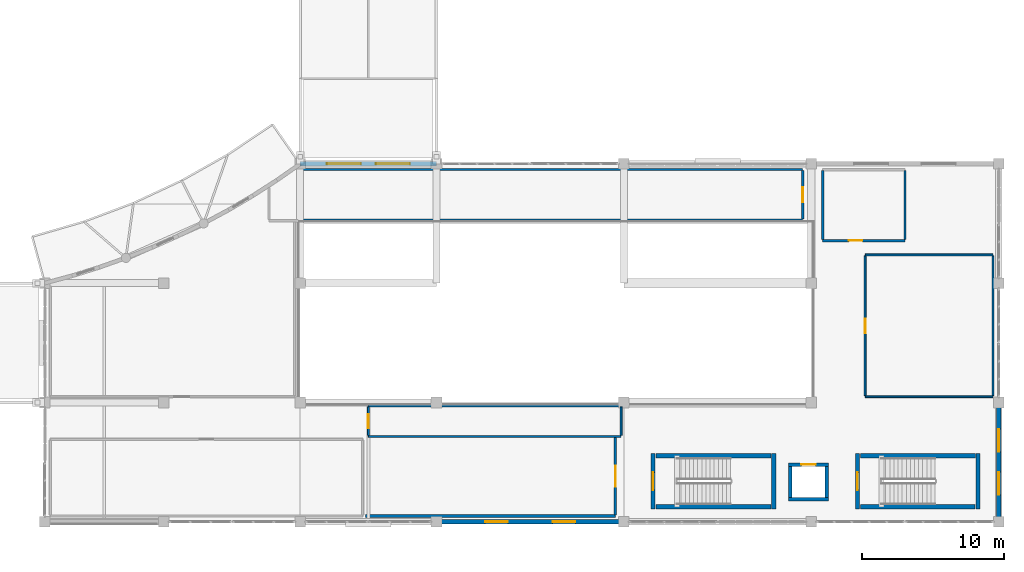
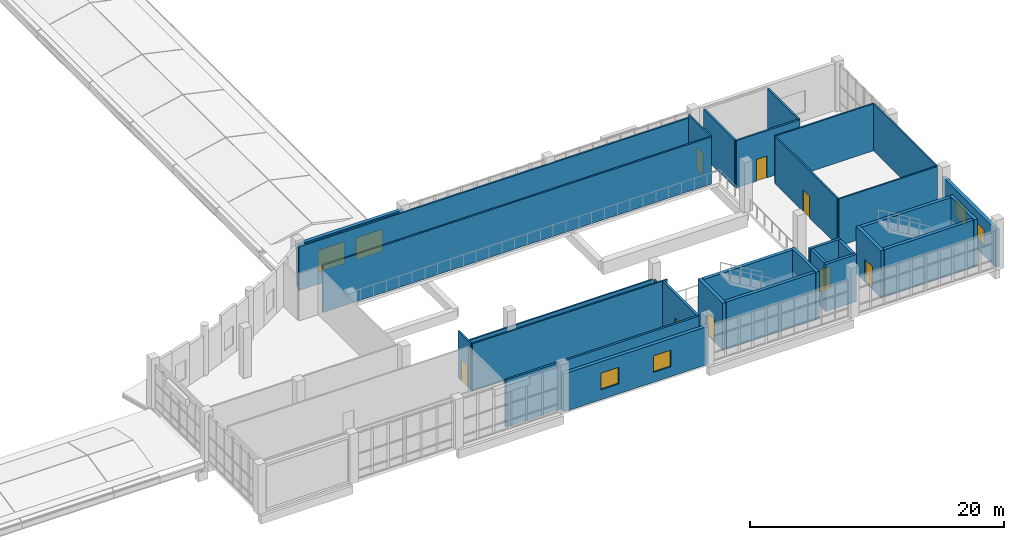
# One storey, part 90 of 106: 31 walls, 8 doors, 6 windows, 14 openings.
"""IFC4 building model written with IfcOpenShell, lengths in metres."""

from ifc_helpers import new_model, si_unit, direction, frame, frame_2d, origin, place, context, subcontext, project, spatial, rectangle, extrude, material, layer, layer_set, type_object, element, fill, save


model = new_model("IFC4")

# Units and contexts
model_context = context("Model", 3, precision=1e-05, world=origin(), true_north=direction((0.0, 1.0)))
body_context = subcontext(model_context, "Body", "Model", "MODEL_VIEW")
ifc_project = project(units=[si_unit("LENGTHUNIT", "METRE"), si_unit("AREAUNIT", "SQUARE_METRE"), si_unit("VOLUMEUNIT", "CUBIC_METRE"), si_unit("PLANEANGLEUNIT", "RADIAN"), si_unit("MASSUNIT", "GRAM", prefix="KILO")], contexts=[model_context])

# Site, building, storey
site_placement = place(None, origin())
site = spatial("IfcSite", under=ifc_project, at=site_placement, CompositionType="ELEMENT")
building_placement = place(site_placement, origin())
building = spatial("IfcBuilding", under=site, at=building_placement, Name="Kisaragi Civic Commons", CompositionType="ELEMENT")
storey_placement = place(building_placement, frame((0.0, 0.0, 4.800048828125)))
storey = spatial("IfcBuildingStorey", under=building, at=storey_placement, Name="L01", CompositionType="ELEMENT", Elevation=4.800048828125)

# Wall, openings, windows
ifc_material_1 = material(Name="Insulated Tokoname terracotta cavity wall", Category="masonry")
ifc_layer_1 = layer(ifc_material_1, 0.320068359375, Name="Insulated Tokoname terracotta cavity wall", Category="masonry")
ifc_layer_set_1 = layer_set([ifc_layer_1], Name="Insulated Tokoname terracotta cavity wall")
wall_type_1 = type_object("IfcWallType", Name="EW-01", PredefinedType="STANDARD", material=ifc_layer_set_1)
wall_1_placement = place(storey_placement, frame((123.60009765625, 25.199951171875, 0.0), z_axis=(0.0, 0.0, 1.0), x_axis=(1.0, 0.0, 0.0)))
wall_1 = element("IfcWall", 1, at=wall_1_placement, inside=storey, type_object=wall_type_1, Name="V3 L01 exterior terracotta wall EW-01 269", PredefinedType="STANDARD", context=body_context, shape_type="SweptSolid", body=[
    extrude(rectangle(XDim=9.599853515625, YDim=0.320068359375, at=frame_2d((4.7998046875, 0.0))), origin(), (0.0, 0.0, 1.0), 4.204833984375),
])
opening_1_placement = place(wall_1_placement, frame((1.8720703125, 0.0, 0.800048828125)))
opening_1 = element("IfcOpeningElement", 2, at=opening_1_placement, cuts=wall_1, Name="Opening W-11", PredefinedType="OPENING", context=body_context, shape_type="SweptSolid", body=[
    extrude(rectangle(XDim=2.39990234375, YDim=2.10009765625, at=frame_2d((1.199951171875, 1.050048828125))), frame((0.0, 0.169921875, 0.0), z_axis=(0.0, -1.0, 0.0), x_axis=(1.0, 0.0, 0.0)), (0.0, 0.0, 1.0), 0.340087890625),
])
opening_2_placement = place(wall_1_placement, frame((5.327880859375, 0.0, 0.800048828125)))
opening_2 = element("IfcOpeningElement", 3, at=opening_2_placement, cuts=wall_1, Name="Opening W-11", PredefinedType="OPENING", context=body_context, shape_type="SweptSolid", body=[
    extrude(rectangle(XDim=2.39990234375, YDim=2.10009765625, at=frame_2d((1.199951171875, 1.050048828125))), frame((0.0, 0.169921875, 0.0), z_axis=(0.0, -1.0, 0.0), x_axis=(1.0, 0.0, 0.0)), (0.0, 0.0, 1.0), 0.340087890625),
])
ifc_material_2 = material(Name="Thermally broken aluminium frame and low-E argon double glazing", Category="aluminium")
window_type_1 = type_object("IfcWindowType", Name="W-11", PartitioningType="SINGLE_PANEL", PredefinedType="WINDOW", material=ifc_material_2)
window_1_placement = place(opening_1_placement, origin())
window_1 = element("IfcWindow", 4, at=window_1_placement, inside=storey, type_object=window_type_1, Name="V3 L01 window W-11 83", OverallHeight=2.10009765625, OverallWidth=2.39990234375, PartitioningType="SINGLE_PANEL", PredefinedType="WINDOW", context=body_context, shape_type="SweptSolid", body=[
    extrude(rectangle(XDim=2.39990234375, YDim=2.10009765625, at=frame_2d((1.199951171875, 1.050048828125))), frame((0.0, 0.030029296875, 0.0), z_axis=(0.0, -1.0, 0.0), x_axis=(1.0, 0.0, 0.0)), (0.0, 0.0, 1.0), 0.06005859375),
])
fill(opening_1, window_1)
window_2_placement = place(opening_2_placement, origin())
window_2 = element("IfcWindow", 5, at=window_2_placement, inside=storey, type_object=window_type_1, Name="V3 L01 window W-11 84", OverallHeight=2.10009765625, OverallWidth=2.39990234375, PartitioningType="SINGLE_PANEL", PredefinedType="WINDOW", context=body_context, shape_type="SweptSolid", body=[
    extrude(rectangle(XDim=2.39990234375, YDim=2.10009765625, at=frame_2d((1.199951171875, 1.050048828125))), frame((0.0, 0.030029296875, 0.0), z_axis=(0.0, -1.0, 0.0), x_axis=(1.0, 0.0, 0.0)), (0.0, 0.0, 1.0), 0.06005859375),
])
fill(opening_2, window_2)

wall_2_placement = place(storey_placement, frame((172.800048828125, 8.39990234375, 0.0), z_axis=(0.0, 0.0, 1.0), x_axis=(0.0, -1.0, 0.0)))
wall_2 = element("IfcWall", 6, at=wall_2_placement, inside=storey, type_object=wall_type_1, Name="V3 L01 exterior terracotta wall EW-01 271", PredefinedType="STANDARD", context=body_context, shape_type="SweptSolid", body=[
    extrude(rectangle(XDim=8.39990234375, YDim=0.320068359375, at=frame_2d((4.199951171875, 0.0))), origin(), (0.0, 0.0, 1.0), 3.655029296875),
])
opening_3_placement = place(wall_2_placement, frame((1.887939453125, 0.0, 0.949951171875)))
opening_3 = element("IfcOpeningElement", 7, at=opening_3_placement, cuts=wall_2, Name="Opening W-12", PredefinedType="OPENING", context=body_context, shape_type="SweptSolid", body=[
    extrude(rectangle(XDim=1.60009765625, YDim=1.60009765625, at=frame_2d((0.800048828125, 0.800048828125))), frame((0.0, 0.169921875, 0.0), z_axis=(0.0, -1.0, 0.0), x_axis=(1.0, 0.0, 0.0)), (0.0, 0.0, 1.0), 0.340087890625),
])
opening_4_placement = place(wall_2_placement, frame((4.912109375, 0.0, 0.949951171875)))
opening_4 = element("IfcOpeningElement", 8, at=opening_4_placement, cuts=wall_2, Name="Opening W-12", PredefinedType="OPENING", context=body_context, shape_type="SweptSolid", body=[
    extrude(rectangle(XDim=1.60009765625, YDim=1.60009765625, at=frame_2d((0.800048828125, 0.800048828125))), frame((0.0, 0.169921875, 0.0), z_axis=(0.0, -1.0, 0.0), x_axis=(1.0, 0.0, 0.0)), (0.0, 0.0, 1.0), 0.340087890625),
])
window_type_2 = type_object("IfcWindowType", Name="W-12", PartitioningType="SINGLE_PANEL", PredefinedType="WINDOW", material=ifc_material_2)
window_3_placement = place(opening_3_placement, origin())
window_3 = element("IfcWindow", 9, at=window_3_placement, inside=storey, type_object=window_type_2, Name="V3 L01 window W-12 87", OverallHeight=1.60009765625, OverallWidth=1.60009765625, PartitioningType="SINGLE_PANEL", PredefinedType="WINDOW", context=body_context, shape_type="SweptSolid", body=[
    extrude(rectangle(XDim=1.60009765625, YDim=1.60009765625, at=frame_2d((0.800048828125, 0.800048828125))), frame((0.0, 0.030029296875, 0.0), z_axis=(0.0, -1.0, 0.0), x_axis=(1.0, 0.0, 0.0)), (0.0, 0.0, 1.0), 0.06005859375),
])
fill(opening_3, window_3)
window_4_placement = place(opening_4_placement, origin())
window_4 = element("IfcWindow", 10, at=window_4_placement, inside=storey, type_object=window_type_2, Name="V3 L01 window W-12 88", OverallHeight=1.60009765625, OverallWidth=1.60009765625, PartitioningType="SINGLE_PANEL", PredefinedType="WINDOW", context=body_context, shape_type="SweptSolid", body=[
    extrude(rectangle(XDim=1.60009765625, YDim=1.60009765625, at=frame_2d((0.800048828125, 0.800048828125))), frame((0.0, 0.030029296875, 0.0), z_axis=(0.0, -1.0, 0.0), x_axis=(1.0, 0.0, 0.0)), (0.0, 0.0, 1.0), 0.06005859375),
])
fill(opening_4, window_4)

wall_3_placement = place(storey_placement, frame((146.39990234375, 0.0, 0.0), z_axis=(0.0, 0.0, 1.0), x_axis=(-1.0, 0.0, 0.0)))
wall_3 = element("IfcWall", 11, at=wall_3_placement, inside=storey, type_object=wall_type_1, Name="V3 L01 exterior terracotta wall EW-01 272", PredefinedType="STANDARD", context=body_context, shape_type="SweptSolid", body=[
    extrude(rectangle(XDim=13.199951171875, YDim=0.320068359375, at=frame_2d((6.60009765625, 0.0))), origin(), (0.0, 0.0, 1.0), 3.655029296875),
])
opening_5_placement = place(wall_3_placement, frame((3.424072265625, 0.0, 0.949951171875)))
opening_5 = element("IfcOpeningElement", 12, at=opening_5_placement, cuts=wall_3, Name="Opening W-12", PredefinedType="OPENING", context=body_context, shape_type="SweptSolid", body=[
    extrude(rectangle(XDim=1.60009765625, YDim=1.60009765625, at=frame_2d((0.800048828125, 0.800048828125))), frame((0.0, 0.169921875, 0.0), z_axis=(0.0, -1.0, 0.0), x_axis=(1.0, 0.0, 0.0)), (0.0, 0.0, 1.0), 0.340087890625),
])
opening_6_placement = place(wall_3_placement, frame((8.176025390625, 0.0, 0.949951171875)))
opening_6 = element("IfcOpeningElement", 13, at=opening_6_placement, cuts=wall_3, Name="Opening W-12", PredefinedType="OPENING", context=body_context, shape_type="SweptSolid", body=[
    extrude(rectangle(XDim=1.60009765625, YDim=1.60009765625, at=frame_2d((0.800048828125, 0.800048828125))), frame((0.0, 0.169921875, 0.0), z_axis=(0.0, -1.0, 0.0), x_axis=(1.0, 0.0, 0.0)), (0.0, 0.0, 1.0), 0.340087890625),
])
window_5_placement = place(opening_5_placement, origin())
window_5 = element("IfcWindow", 14, at=window_5_placement, inside=storey, type_object=window_type_2, Name="V3 L01 window W-12 89", OverallHeight=1.60009765625, OverallWidth=1.60009765625, PartitioningType="SINGLE_PANEL", PredefinedType="WINDOW", context=body_context, shape_type="SweptSolid", body=[
    extrude(rectangle(XDim=1.60009765625, YDim=1.60009765625, at=frame_2d((0.800048828125, 0.800048828125))), frame((0.0, 0.030029296875, 0.0), z_axis=(0.0, -1.0, 0.0), x_axis=(1.0, 0.0, 0.0)), (0.0, 0.0, 1.0), 0.06005859375),
])
fill(opening_5, window_5)
window_6_placement = place(opening_6_placement, origin())
window_6 = element("IfcWindow", 15, at=window_6_placement, inside=storey, type_object=window_type_2, Name="V3 L01 window W-12 90", OverallHeight=1.60009765625, OverallWidth=1.60009765625, PartitioningType="SINGLE_PANEL", PredefinedType="WINDOW", context=body_context, shape_type="SweptSolid", body=[
    extrude(rectangle(XDim=1.60009765625, YDim=1.60009765625, at=frame_2d((0.800048828125, 0.800048828125))), frame((0.0, 0.030029296875, 0.0), z_axis=(0.0, -1.0, 0.0), x_axis=(1.0, 0.0, 0.0)), (0.0, 0.0, 1.0), 0.06005859375),
])
fill(opening_6, window_6)

# Wall
ifc_material_3 = material(Name="Acoustic gypsum board on light-gauge steel studs", Category="steel")
ifc_layer_2 = layer(ifc_material_3, 0.14990234375, Name="Acoustic gypsum board on light-gauge steel studs", Category="steel")
ifc_layer_set_2 = layer_set([ifc_layer_2], Name="Acoustic gypsum board on light-gauge steel studs")
wall_type_2 = type_object("IfcWallType", Name="IW-01", PredefinedType="STANDARD", material=ifc_layer_set_2)
wall_4_placement = place(storey_placement, frame((123.451416015625, 24.800048828125, 0.0), z_axis=(0.0, 0.0, 1.0), x_axis=(1.0, 0.0, 0.0)))
element("IfcWall", 16, at=wall_4_placement, inside=storey, type_object=wall_type_2, Name="L01 D1-08 partition IW-01 207", PredefinedType="STANDARD", context=body_context, shape_type="SweptSolid", body=[
    extrude(rectangle(XDim=35.543701171875, YDim=0.14990234375, at=frame_2d((17.77197265625, 0.0))), origin(), (0.0, 0.0, 1.0), 4.204833984375),
])

# Wall, opening, door
wall_5_placement = place(storey_placement, frame((159.0, 24.72509765625, 0.0), z_axis=(0.0, 0.0, 1.0), x_axis=(0.0, -1.0, 0.0)))
wall_5 = element("IfcWall", 17, at=wall_5_placement, inside=storey, type_object=wall_type_2, Name="L01 D1-08 partition IW-01 208", PredefinedType="STANDARD", context=body_context, shape_type="SweptSolid", body=[
    extrude(rectangle(XDim=3.41015625, YDim=0.14990234375, at=frame_2d((1.705078125, 0.0))), origin(), (0.0, 0.0, 1.0), 4.5400390625),
])
opening_7_placement = place(wall_5_placement, frame((1.179931640625, 0.0, 0.0)))
opening_7 = element("IfcOpeningElement", 18, at=opening_7_placement, cuts=wall_5, Name="Opening ID-03", PredefinedType="OPENING", context=body_context, shape_type="SweptSolid", body=[
    extrude(rectangle(XDim=1.050048828125, YDim=2.14990234375, at=frame_2d((0.52490234375, 1.074951171875))), frame((0.0, 0.0849609375, 0.0), z_axis=(0.0, -1.0, 0.0), x_axis=(1.0, 0.0, 0.0)), (0.0, 0.0, 1.0), 0.169921875),
])
ifc_material_4 = material(Name="Solid-core Japanese ash acoustic flush timber leaf in steel frame", Category="steel")
door_type_1 = type_object("IfcDoorType", Name="ID-03", OperationType="NOTDEFINED", PredefinedType="DOOR", material=ifc_material_4)
door_1_placement = place(opening_7_placement, origin())
door_1 = element("IfcDoor", 19, at=door_1_placement, inside=storey, type_object=door_type_1, Name="Nutrition Seminar Classroom door ID-03", OperationType="SINGLE_SWING_RIGHT", OverallHeight=2.14990234375, OverallWidth=1.050048828125, PredefinedType="DOOR", context=body_context, shape_type="SweptSolid", body=[
    extrude(rectangle(XDim=1.050048828125, YDim=2.14990234375, at=frame_2d((0.52490234375, 1.074951171875))), frame((0.0, 0.02490234375, 0.0), z_axis=(0.0, -1.0, 0.0), x_axis=(1.0, 0.0, 0.0)), (0.0, 0.0, 1.0), 0.050048828125),
])
fill(opening_7, door_1)

# Wall
wall_6_placement = place(storey_placement, frame((158.9951171875, 21.239990234375, 0.0), z_axis=(0.0, 0.0, 1.0), x_axis=(-1.0, 0.0, 0.0)))
element("IfcWall", 20, at=wall_6_placement, inside=storey, type_object=wall_type_2, Name="L01 D1-08 partition IW-01 209", PredefinedType="STANDARD", context=body_context, shape_type="SweptSolid", body=[
    extrude(rectangle(XDim=35.39013671875, YDim=0.14990234375, at=frame_2d((17.695068359375, 0.0))), origin(), (0.0, 0.0, 1.0), 4.5400390625),
])

# Wall, opening, door
ifc_layer_3 = layer(ifc_material_3, 0.137939453125, Name="Acoustic gypsum board on light-gauge steel studs", Category="steel")
ifc_layer_set_3 = layer_set([ifc_layer_3], Name="Acoustic gypsum board on light-gauge steel studs")
wall_type_3 = type_object("IfcWallType", Name="IW-02", PredefinedType="STANDARD", material=ifc_layer_set_3)
wall_7_placement = place(storey_placement, frame((128.39990234375, 6.074951171875, 0.0), z_axis=(0.0, 0.0, 1.0), x_axis=(0.0, 1.0, 0.0)))
wall_7 = element("IfcWall", 21, at=wall_7_placement, inside=storey, type_object=wall_type_3, Name="L01 D1-09 partition IW-02 193", PredefinedType="STANDARD", context=body_context, shape_type="SweptSolid", body=[
    extrude(rectangle(XDim=2.010009765625, YDim=0.137939453125, at=frame_2d((1.0048828125, 0.0))), origin(), (0.0, 0.0, 1.0), 4.5400390625),
])
opening_8_placement = place(wall_7_placement, frame((0.514892578125, 0.0, 0.0)))
opening_8 = element("IfcOpeningElement", 22, at=opening_8_placement, cuts=wall_7, Name="Opening ID-16", PredefinedType="OPENING", context=body_context, shape_type="SweptSolid", body=[
    extrude(rectangle(XDim=0.97998046875, YDim=2.139892578125, at=frame_2d((0.489990234375, 1.06982421875))), frame((0.0, 0.078857421875, 0.0), z_axis=(0.0, -1.0, 0.0), x_axis=(1.0, 0.0, 0.0)), (0.0, 0.0, 1.0), 0.157958984375),
])
door_type_2 = type_object("IfcDoorType", Name="ID-16", OperationType="NOTDEFINED", PredefinedType="DOOR", material=ifc_material_4)
door_2_placement = place(opening_8_placement, origin())
door_2 = element("IfcDoor", 23, at=door_2_placement, inside=storey, type_object=door_type_2, Name="Culinary Demonstration Classroom door ID-16", OperationType="SINGLE_SWING_LEFT", OverallHeight=2.139892578125, OverallWidth=0.97998046875, PredefinedType="DOOR", context=body_context, shape_type="SweptSolid", body=[
    extrude(rectangle(XDim=0.97998046875, YDim=2.139892578125, at=frame_2d((0.489990234375, 1.06982421875))), frame((0.0, 0.02490234375, 0.0), z_axis=(0.0, -1.0, 0.0), x_axis=(1.0, 0.0, 0.0)), (0.0, 0.0, 1.0), 0.050048828125),
])
fill(opening_8, door_2)

# Walls
wall_8_placement = place(storey_placement, frame((128.405029296875, 8.159912109375, 0.0), z_axis=(0.0, 0.0, 1.0), x_axis=(1.0, 0.0, 0.0)))
element("IfcWall", 24, at=wall_8_placement, inside=storey, type_object=wall_type_3, Name="L01 D1-09 partition IW-02 194", PredefinedType="STANDARD", context=body_context, shape_type="SweptSolid", body=[
    extrude(rectangle(XDim=17.7900390625, YDim=0.137939453125, at=frame_2d((8.89501953125, 0.0))), origin(), (0.0, 0.0, 1.0), 3.2548828125),
])
wall_9_placement = place(storey_placement, frame((146.199951171875, 8.0849609375, 0.0), z_axis=(0.0, 0.0, 1.0), x_axis=(0.0, -1.0, 0.0)))
element("IfcWall", 25, at=wall_9_placement, inside=storey, type_object=wall_type_3, Name="L01 D1-09 partition IW-02 195", PredefinedType="STANDARD", context=body_context, shape_type="SweptSolid", body=[
    extrude(rectangle(XDim=2.010009765625, YDim=0.137939453125, at=frame_2d((1.0048828125, 0.0))), origin(), (0.0, 0.0, 1.0), 3.2548828125),
])
wall_10_placement = place(storey_placement, frame((146.195068359375, 6.0, 0.0), z_axis=(0.0, 0.0, 1.0), x_axis=(-1.0, 0.0, 0.0)))
element("IfcWall", 26, at=wall_10_placement, inside=storey, type_object=wall_type_3, Name="L01 D1-09 partition IW-02 196", PredefinedType="STANDARD", context=body_context, shape_type="SweptSolid", body=[
    extrude(rectangle(XDim=17.7900390625, YDim=0.137939453125, at=frame_2d((8.89501953125, 0.0))), origin(), (0.0, 0.0, 1.0), 4.5400390625),
])
wall_11_placement = place(storey_placement, frame((172.39990234375, 18.72509765625, 0.0), z_axis=(0.0, 0.0, 1.0), x_axis=(0.0, -1.0, 0.0)))
element("IfcWall", 27, at=wall_11_placement, inside=storey, type_object=wall_type_3, Name="L01 D1-05 partition IW-02 252", PredefinedType="STANDARD", context=body_context, shape_type="SweptSolid", body=[
    extrude(rectangle(XDim=9.85009765625, YDim=0.137939453125, at=frame_2d((4.925048828125, 0.0))), origin(), (0.0, 0.0, 1.0), 4.5400390625),
])
wall_12_placement = place(storey_placement, frame((172.39501953125, 8.800048828125, 0.0), z_axis=(0.0, 0.0, 1.0), x_axis=(-1.0, 0.0, 0.0)))
element("IfcWall", 28, at=wall_12_placement, inside=storey, type_object=wall_type_3, Name="L01 D1-05 partition IW-02 253", PredefinedType="STANDARD", context=body_context, shape_type="SweptSolid", body=[
    extrude(rectangle(XDim=8.989990234375, YDim=0.137939453125, at=frame_2d((4.4951171875, 0.0))), origin(), (0.0, 0.0, 1.0), 4.5400390625),
])

# Wall, opening, door
wall_13_placement = place(storey_placement, frame((163.39990234375, 8.875, 0.0), z_axis=(0.0, 0.0, 1.0), x_axis=(0.0, 1.0, 0.0)))
wall_13 = element("IfcWall", 29, at=wall_13_placement, inside=storey, type_object=wall_type_3, Name="L01 D1-05 partition IW-02 254", PredefinedType="STANDARD", context=body_context, shape_type="SweptSolid", body=[
    extrude(rectangle(XDim=9.85009765625, YDim=0.137939453125, at=frame_2d((4.925048828125, 0.0))), origin(), (0.0, 0.0, 1.0), 4.5400390625),
])
opening_9_placement = place(wall_13_placement, frame((4.4150390625, 0.0, 0.0)))
opening_9 = element("IfcOpeningElement", 30, at=opening_9_placement, cuts=wall_13, Name="Opening ID-12", PredefinedType="OPENING", context=body_context, shape_type="SweptSolid", body=[
    extrude(rectangle(XDim=1.02001953125, YDim=2.1201171875, at=frame_2d((0.510009765625, 1.06005859375))), frame((0.0, 0.078857421875, 0.0), z_axis=(0.0, -1.0, 0.0), x_axis=(1.0, 0.0, 0.0)), (0.0, 0.0, 1.0), 0.157958984375),
])
door_type_3 = type_object("IfcDoorType", Name="ID-12", OperationType="NOTDEFINED", PredefinedType="DOOR", material=ifc_material_4)
door_3_placement = place(opening_9_placement, origin())
door_3 = element("IfcDoor", 31, at=door_3_placement, inside=storey, type_object=door_type_3, Name="East Mezzanine Terrace Gallery door ID-12", OperationType="SINGLE_SWING_LEFT", OverallHeight=2.1201171875, OverallWidth=1.02001953125, PredefinedType="DOOR", context=body_context, shape_type="SweptSolid", body=[
    extrude(rectangle(XDim=1.02001953125, YDim=2.1201171875, at=frame_2d((0.510009765625, 1.06005859375))), frame((0.0, 0.02490234375, 0.0), z_axis=(0.0, -1.0, 0.0), x_axis=(1.0, 0.0, 0.0)), (0.0, 0.0, 1.0), 0.050048828125),
])
fill(opening_9, door_3)

# Walls
wall_14_placement = place(storey_placement, frame((163.405029296875, 18.800048828125, 0.0), z_axis=(0.0, 0.0, 1.0), x_axis=(1.0, 0.0, 0.0)))
element("IfcWall", 32, at=wall_14_placement, inside=storey, type_object=wall_type_3, Name="L01 D1-05 partition IW-02 255", PredefinedType="STANDARD", context=body_context, shape_type="SweptSolid", body=[
    extrude(rectangle(XDim=8.989990234375, YDim=0.137939453125, at=frame_2d((4.4951171875, 0.0))), origin(), (0.0, 0.0, 1.0), 4.5400390625),
])
ifc_material_5 = material(Name="Cementitious tile-backer board on galvanized steel studs", Category="steel")
ifc_layer_4 = layer(ifc_material_5, 0.16796875, Name="Cementitious tile-backer board on galvanized steel studs", Category="steel")
ifc_layer_set_4 = layer_set([ifc_layer_4], Name="Cementitious tile-backer board on galvanized steel studs")
wall_type_4 = type_object("IfcWallType", Name="IW-03", PredefinedType="STANDARD", material=ifc_layer_set_4)
wall_15_placement = place(storey_placement, frame((166.199951171875, 24.72509765625, 0.0), z_axis=(0.0, 0.0, 1.0), x_axis=(0.0, -1.0, 0.0)))
element("IfcWall", 33, at=wall_15_placement, inside=storey, type_object=wall_type_4, Name="L01 D1-06 partition IW-03 256", PredefinedType="STANDARD", context=body_context, shape_type="SweptSolid", body=[
    extrude(rectangle(XDim=4.85009765625, YDim=0.16796875, at=frame_2d((2.425048828125, 0.0))), origin(), (0.0, 0.0, 1.0), 4.5400390625),
])

# Wall, opening, door
wall_16_placement = place(storey_placement, frame((166.195068359375, 19.800048828125, 0.0), z_axis=(0.0, 0.0, 1.0), x_axis=(-1.0, 0.0, 0.0)))
wall_16 = element("IfcWall", 34, at=wall_16_placement, inside=storey, type_object=wall_type_4, Name="L01 D1-06 partition IW-03 257", PredefinedType="STANDARD", context=body_context, shape_type="SweptSolid", body=[
    extrude(rectangle(XDim=5.7900390625, YDim=0.16796875, at=frame_2d((2.89501953125, 0.0))), origin(), (0.0, 0.0, 1.0), 4.5400390625),
])
opening_10_placement = place(wall_16_placement, frame((3.000732421875, 0.0, 0.0)))
opening_10 = element("IfcOpeningElement", 35, at=opening_10_placement, cuts=wall_16, Name="Opening ID-01", PredefinedType="OPENING", context=body_context, shape_type="SweptSolid", body=[
    extrude(rectangle(XDim=0.949951171875, YDim=2.10009765625, at=frame_2d((0.47509765625, 1.050048828125))), frame((0.0, 0.093994140625, 0.0), z_axis=(0.0, -1.0, 0.0), x_axis=(1.0, 0.0, 0.0)), (0.0, 0.0, 1.0), 0.18798828125),
])
door_type_4 = type_object("IfcDoorType", Name="ID-01", OperationType="NOTDEFINED", PredefinedType="DOOR", material=ifc_material_4)
door_4_placement = place(opening_10_placement, origin())
door_4 = element("IfcDoor", 36, at=door_4_placement, inside=storey, type_object=door_type_4, Name="Dining Upper Accessible WC door ID-01", OperationType="SINGLE_SWING_RIGHT", OverallHeight=2.10009765625, OverallWidth=0.949951171875, PredefinedType="DOOR", context=body_context, shape_type="SweptSolid", body=[
    extrude(rectangle(XDim=0.949951171875, YDim=2.10009765625, at=frame_2d((0.47509765625, 1.050048828125))), frame((0.0, 0.02490234375, 0.0), z_axis=(0.0, -1.0, 0.0), x_axis=(1.0, 0.0, 0.0)), (0.0, 0.0, 1.0), 0.050048828125),
])
fill(opening_10, door_4)

# Wall
wall_17_placement = place(storey_placement, frame((160.39990234375, 19.875, 0.0), z_axis=(0.0, 0.0, 1.0), x_axis=(0.0, 1.0, 0.0)))
element("IfcWall", 37, at=wall_17_placement, inside=storey, type_object=wall_type_4, Name="L01 D1-06 partition IW-03 258", PredefinedType="STANDARD", context=body_context, shape_type="SweptSolid", body=[
    extrude(rectangle(XDim=4.85009765625, YDim=0.16796875, at=frame_2d((2.425048828125, 0.0))), origin(), (0.0, 0.0, 1.0), 4.5400390625),
])

# Wall, opening, door
ifc_material_6 = material(Name="Slatted Mikawa hinoki acoustic timber partition", Category="wood")
ifc_layer_5 = layer(ifc_material_6, 0.18603515625, Name="Slatted Mikawa hinoki acoustic timber partition", Category="wood")
ifc_layer_set_5 = layer_set([ifc_layer_5], Name="Slatted Mikawa hinoki acoustic timber partition")
wall_type_5 = type_object("IfcWallType", Name="IW-08", PredefinedType="STANDARD", material=ifc_layer_set_5)
wall_18_placement = place(storey_placement, frame((145.800048828125, 5.923095703125, 0.0), z_axis=(0.0, 0.0, 1.0), x_axis=(0.0, -1.0, 0.0)))
wall_18 = element("IfcWall", 38, at=wall_18_placement, inside=storey, type_object=wall_type_5, Name="L01 D1-03 partition IW-08 250", PredefinedType="STANDARD", context=body_context, shape_type="SweptSolid", body=[
    extrude(rectangle(XDim=5.447998046875, YDim=0.18603515625, at=frame_2d((2.72412109375, 0.0))), origin(), (0.0, 0.0, 1.0), 4.5400390625),
])
opening_11_placement = place(wall_18_placement, frame((1.9990234375, 0.0, 0.0)))
opening_11 = element("IfcOpeningElement", 39, at=opening_11_placement, cuts=wall_18, Name="Opening ID-11", PredefinedType="OPENING", context=body_context, shape_type="SweptSolid", body=[
    extrude(rectangle(XDim=1.449951171875, YDim=2.219970703125, at=frame_2d((0.72509765625, 1.10986328125))), frame((0.0, 0.10302734375, 0.0), z_axis=(0.0, -1.0, 0.0), x_axis=(1.0, 0.0, 0.0)), (0.0, 0.0, 1.0), 0.2060546875),
])
door_type_5 = type_object("IfcDoorType", Name="ID-11", OperationType="NOTDEFINED", PredefinedType="DOOR", material=ifc_material_4)
door_5_placement = place(opening_11_placement, origin())
door_5 = element("IfcDoor", 40, at=door_5_placement, inside=storey, type_object=door_type_5, Name="Tea Ceremony Cultural Room door ID-11", OperationType="DOUBLE_DOOR_SINGLE_SWING", OverallHeight=2.219970703125, OverallWidth=1.449951171875, PredefinedType="DOOR", context=body_context, shape_type="SweptSolid", body=[
    extrude(rectangle(XDim=1.449951171875, YDim=2.219970703125, at=frame_2d((0.72509765625, 1.10986328125))), frame((0.0, 0.02490234375, 0.0), z_axis=(0.0, -1.0, 0.0), x_axis=(1.0, 0.0, 0.0)), (0.0, 0.0, 1.0), 0.050048828125),
])
fill(opening_11, door_5)

# Wall
wall_19_placement = place(storey_placement, frame((145.794921875, 0.39990234375, 0.0), z_axis=(0.0, 0.0, 1.0), x_axis=(-1.0, 0.0, 0.0)))
element("IfcWall", 41, at=wall_19_placement, inside=storey, type_object=wall_type_5, Name="L01 D1-03 partition IW-08 251", PredefinedType="STANDARD", context=body_context, shape_type="SweptSolid", body=[
    extrude(rectangle(XDim=17.58984375, YDim=0.18603515625, at=frame_2d((8.794921875, 0.0))), origin(), (0.0, 0.0, 1.0), 4.5400390625),
])

# Wall, opening, door
ifc_material_7 = material(Name="Concrete Fc36", Category="concrete")
ifc_layer_6 = layer(ifc_material_7, 0.300048828125, Name="Concrete Fc36", Category="concrete")
ifc_layer_set_6 = layer_set([ifc_layer_6], Name="Concrete Fc36")
wall_type_6 = type_object("IfcWallType", Name="SW-01", PredefinedType="SHEAR", material=ifc_layer_set_6)
wall_20_placement = place(storey_placement, frame((148.449951171875, 4.800048828125, 0.0), z_axis=(0.0, 0.0, 1.0), x_axis=(0.0, -1.0, 0.0)))
wall_20 = element("IfcWall", 42, at=wall_20_placement, inside=storey, type_object=wall_type_6, Name="ST-D1 L01 entry RC shear wall", PredefinedType="SHEAR", context=body_context, shape_type="SweptSolid", body=[
    extrude(rectangle(XDim=3.900146484375, YDim=0.300048828125, at=frame_2d((1.9501953125, 0.0))), origin(), (0.0, 0.0, 1.0), 4.5400390625),
])
opening_12_placement = place(wall_20_placement, frame((1.324951171875, 0.0, 0.0)))
opening_12 = element("IfcOpeningElement", 43, at=opening_12_placement, cuts=wall_20, Name="Opening SD-01", PredefinedType="OPENING", context=body_context, shape_type="SweptSolid", body=[
    extrude(rectangle(XDim=1.25, YDim=2.199951171875, at=frame_2d((0.625, 1.10009765625))), frame((0.0, 0.159912109375, 0.0), z_axis=(0.0, -1.0, 0.0), x_axis=(1.0, 0.0, 0.0)), (0.0, 0.0, 1.0), 0.320068359375),
])
ifc_material_8 = material(Name="Insulated fire-rated pressed steel door assembly", Category="steel")
door_type_6 = type_object("IfcDoorType", Name="SD-01", OperationType="NOTDEFINED", PredefinedType="DOOR", material=ifc_material_8)
door_6_placement = place(opening_12_placement, origin())
door_6 = element("IfcDoor", 44, at=door_6_placement, inside=storey, type_object=door_type_6, Name="ST-D1 L01 stair fire door 34", OperationType="SINGLE_SWING_RIGHT", OverallHeight=2.199951171875, OverallWidth=1.25, PredefinedType="DOOR", context=body_context, shape_type="SweptSolid", body=[
    extrude(rectangle(XDim=1.25, YDim=2.199951171875, at=frame_2d((0.625, 1.10009765625))), frame((0.0, 0.02490234375, 0.0), z_axis=(0.0, -1.0, 0.0), x_axis=(1.0, 0.0, 0.0)), (0.0, 0.0, 1.0), 0.050048828125),
])
fill(opening_12, door_6)

# Walls
wall_21_placement = place(storey_placement, frame((148.64990234375, 1.050048828125, 0.0), z_axis=(0.0, 0.0, 1.0), x_axis=(1.0, 0.0, 0.0)))
element("IfcWall", 45, at=wall_21_placement, inside=storey, type_object=wall_type_6, Name="ST-D1 L01 right RC shear wall", PredefinedType="SHEAR", context=body_context, shape_type="SweptSolid", body=[
    extrude(rectangle(XDim=8.10009765625, YDim=0.300048828125, at=frame_2d((4.050048828125, 0.0))), origin(), (0.0, 0.0, 1.0), 4.5400390625),
])
wall_22_placement = place(storey_placement, frame((156.949951171875, 0.89990234375, 0.0), z_axis=(0.0, 0.0, 1.0), x_axis=(0.0, 1.0, 0.0)))
element("IfcWall", 46, at=wall_22_placement, inside=storey, type_object=wall_type_6, Name="ST-D1 L01 far RC shear wall", PredefinedType="SHEAR", context=body_context, shape_type="SweptSolid", body=[
    extrude(rectangle(XDim=3.900146484375, YDim=0.300048828125, at=frame_2d((1.9501953125, 0.0))), origin(), (0.0, 0.0, 1.0), 4.5400390625),
])
wall_23_placement = place(storey_placement, frame((156.75, 4.64990234375, 0.0), z_axis=(0.0, 0.0, 1.0), x_axis=(-1.0, 0.0, 0.0)))
element("IfcWall", 47, at=wall_23_placement, inside=storey, type_object=wall_type_6, Name="ST-D1 L01 left RC shear wall", PredefinedType="SHEAR", context=body_context, shape_type="SweptSolid", body=[
    extrude(rectangle(XDim=8.10009765625, YDim=0.300048828125, at=frame_2d((4.050048828125, 0.0))), origin(), (0.0, 0.0, 1.0), 4.5400390625),
])

# Wall, opening, door
wall_24_placement = place(storey_placement, frame((162.85009765625, 4.800048828125, 0.0), z_axis=(0.0, 0.0, 1.0), x_axis=(0.0, -1.0, 0.0)))
wall_24 = element("IfcWall", 48, at=wall_24_placement, inside=storey, type_object=wall_type_6, Name="ST-D2 L01 entry RC shear wall", PredefinedType="SHEAR", context=body_context, shape_type="SweptSolid", body=[
    extrude(rectangle(XDim=3.900146484375, YDim=0.300048828125, at=frame_2d((1.9501953125, 0.0))), origin(), (0.0, 0.0, 1.0), 4.5400390625),
])
opening_13_placement = place(wall_24_placement, frame((1.324951171875, 0.0, 0.0)))
opening_13 = element("IfcOpeningElement", 49, at=opening_13_placement, cuts=wall_24, Name="Opening SD-01", PredefinedType="OPENING", context=body_context, shape_type="SweptSolid", body=[
    extrude(rectangle(XDim=1.25, YDim=2.199951171875, at=frame_2d((0.625, 1.10009765625))), frame((0.0, 0.159912109375, 0.0), z_axis=(0.0, -1.0, 0.0), x_axis=(1.0, 0.0, 0.0)), (0.0, 0.0, 1.0), 0.320068359375),
])
door_7_placement = place(opening_13_placement, origin())
door_7 = element("IfcDoor", 50, at=door_7_placement, inside=storey, type_object=door_type_6, Name="ST-D2 L01 stair fire door 37", OperationType="SINGLE_SWING_LEFT", OverallHeight=2.199951171875, OverallWidth=1.25, PredefinedType="DOOR", context=body_context, shape_type="SweptSolid", body=[
    extrude(rectangle(XDim=1.25, YDim=2.199951171875, at=frame_2d((0.625, 1.10009765625))), frame((0.0, 0.02490234375, 0.0), z_axis=(0.0, -1.0, 0.0), x_axis=(1.0, 0.0, 0.0)), (0.0, 0.0, 1.0), 0.050048828125),
])
fill(opening_13, door_7)

# Walls
wall_25_placement = place(storey_placement, frame((163.050048828125, 1.050048828125, 0.0), z_axis=(0.0, 0.0, 1.0), x_axis=(1.0, 0.0, 0.0)))
element("IfcWall", 51, at=wall_25_placement, inside=storey, type_object=wall_type_6, Name="ST-D2 L01 right RC shear wall", PredefinedType="SHEAR", context=body_context, shape_type="SweptSolid", body=[
    extrude(rectangle(XDim=8.099853515625, YDim=0.300048828125, at=frame_2d((4.0498046875, 0.0))), origin(), (0.0, 0.0, 1.0), 4.5400390625),
])
wall_26_placement = place(storey_placement, frame((171.35009765625, 0.89990234375, 0.0), z_axis=(0.0, 0.0, 1.0), x_axis=(0.0, 1.0, 0.0)))
element("IfcWall", 52, at=wall_26_placement, inside=storey, type_object=wall_type_6, Name="ST-D2 L01 far RC shear wall", PredefinedType="SHEAR", context=body_context, shape_type="SweptSolid", body=[
    extrude(rectangle(XDim=3.900146484375, YDim=0.300048828125, at=frame_2d((1.9501953125, 0.0))), origin(), (0.0, 0.0, 1.0), 4.5400390625),
])
wall_27_placement = place(storey_placement, frame((171.14990234375, 4.64990234375, 0.0), z_axis=(0.0, 0.0, 1.0), x_axis=(-1.0, 0.0, 0.0)))
element("IfcWall", 53, at=wall_27_placement, inside=storey, type_object=wall_type_6, Name="ST-D2 L01 left RC shear wall", PredefinedType="SHEAR", context=body_context, shape_type="SweptSolid", body=[
    extrude(rectangle(XDim=8.099853515625, YDim=0.300048828125, at=frame_2d((4.0498046875, 0.0))), origin(), (0.0, 0.0, 1.0), 4.5400390625),
])
ifc_layer_7 = layer(ifc_material_7, 0.25, Name="Concrete Fc36", Category="concrete")
ifc_layer_set_7 = layer_set([ifc_layer_7], Name="Concrete Fc36")
wall_type_7 = type_object("IfcWallType", Name="SW-02", PredefinedType="SHEAR", material=ifc_layer_set_7)
wall_28_placement = place(storey_placement, frame((160.800048828125, 1.574951171875, 0.0), z_axis=(0.0, 0.0, 1.0), x_axis=(-1.0, 0.0, 0.0)))
element("IfcWall", 54, at=wall_28_placement, inside=storey, type_object=wall_type_7, Name="EL-D1 L01 south lift shaft wall", PredefinedType="SHEAR", context=body_context, shape_type="SweptSolid", body=[
    extrude(rectangle(XDim=2.800048828125, YDim=0.25, at=frame_2d((1.39990234375, 0.0))), origin(), (0.0, 0.0, 1.0), 4.5400390625),
])
wall_29_placement = place(storey_placement, frame((158.125, 1.719970703125, 0.0), z_axis=(0.0, 0.0, 1.0), x_axis=(0.0, 1.0, 0.0)))
element("IfcWall", 55, at=wall_29_placement, inside=storey, type_object=wall_type_7, Name="EL-D1 L01 west lift shaft wall", PredefinedType="SHEAR", context=body_context, shape_type="SweptSolid", body=[
    extrude(rectangle(XDim=2.159912109375, YDim=0.25, at=frame_2d((1.080078125, 0.0))), origin(), (0.0, 0.0, 1.0), 4.5400390625),
])

# Wall, opening, door
wall_30_placement = place(storey_placement, frame((158.0, 4.02490234375, 0.0), z_axis=(0.0, 0.0, 1.0), x_axis=(1.0, 0.0, 0.0)))
wall_30 = element("IfcWall", 56, at=wall_30_placement, inside=storey, type_object=wall_type_7, Name="EL-D1 L01 north lift shaft wall", PredefinedType="SHEAR", context=body_context, shape_type="SweptSolid", body=[
    extrude(rectangle(XDim=2.800048828125, YDim=0.25, at=frame_2d((1.39990234375, 0.0))), origin(), (0.0, 0.0, 1.0), 4.5400390625),
])
opening_14_placement = place(wall_30_placement, frame((0.89990234375, 0.0, 0.0)))
opening_14 = element("IfcOpeningElement", 57, at=opening_14_placement, cuts=wall_30, Name="Opening LD-02", PredefinedType="OPENING", context=body_context, shape_type="SweptSolid", body=[
    extrude(rectangle(XDim=1.0, YDim=2.14990234375, at=frame_2d((0.5, 1.074951171875))), frame((0.0, 0.135009765625, 0.0), z_axis=(0.0, -1.0, 0.0), x_axis=(1.0, 0.0, 0.0)), (0.0, 0.0, 1.0), 0.27001953125),
])
ifc_material_9 = material(Name="Brushed stainless steel bi-parting landing door", Category="steel")
door_type_7 = type_object("IfcDoorType", Name="LD-02", OperationType="NOTDEFINED", PredefinedType="DOOR", material=ifc_material_9)
door_8_placement = place(opening_14_placement, origin())
door_8 = element("IfcDoor", 58, at=door_8_placement, inside=storey, type_object=door_type_7, Name="EL-D1 L01 sliding lift landing door", OperationType="DOUBLE_DOOR_SLIDING", OverallHeight=2.14990234375, OverallWidth=1.0, PredefinedType="DOOR", context=body_context, shape_type="SweptSolid", body=[
    extrude(rectangle(XDim=1.0, YDim=2.14990234375, at=frame_2d((0.5, 1.074951171875))), frame((0.0, 0.02490234375, 0.0), z_axis=(0.0, -1.0, 0.0), x_axis=(1.0, 0.0, 0.0)), (0.0, 0.0, 1.0), 0.050048828125),
])
fill(opening_14, door_8)

# Wall
wall_31_placement = place(storey_placement, frame((160.675048828125, 3.8798828125, 0.0), z_axis=(0.0, 0.0, 1.0), x_axis=(0.0, -1.0, 0.0)))
element("IfcWall", 59, at=wall_31_placement, inside=storey, type_object=wall_type_7, Name="EL-D1 L01 east lift shaft wall", PredefinedType="SHEAR", context=body_context, shape_type="SweptSolid", body=[
    extrude(rectangle(XDim=2.159912109375, YDim=0.25, at=frame_2d((1.080078125, 0.0))), origin(), (0.0, 0.0, 1.0), 4.5400390625),
])

save(model, "model.ifc")
